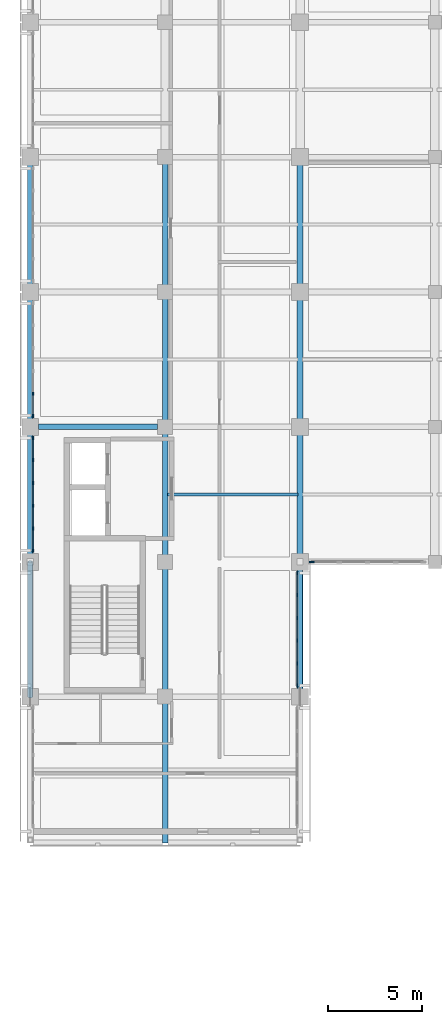
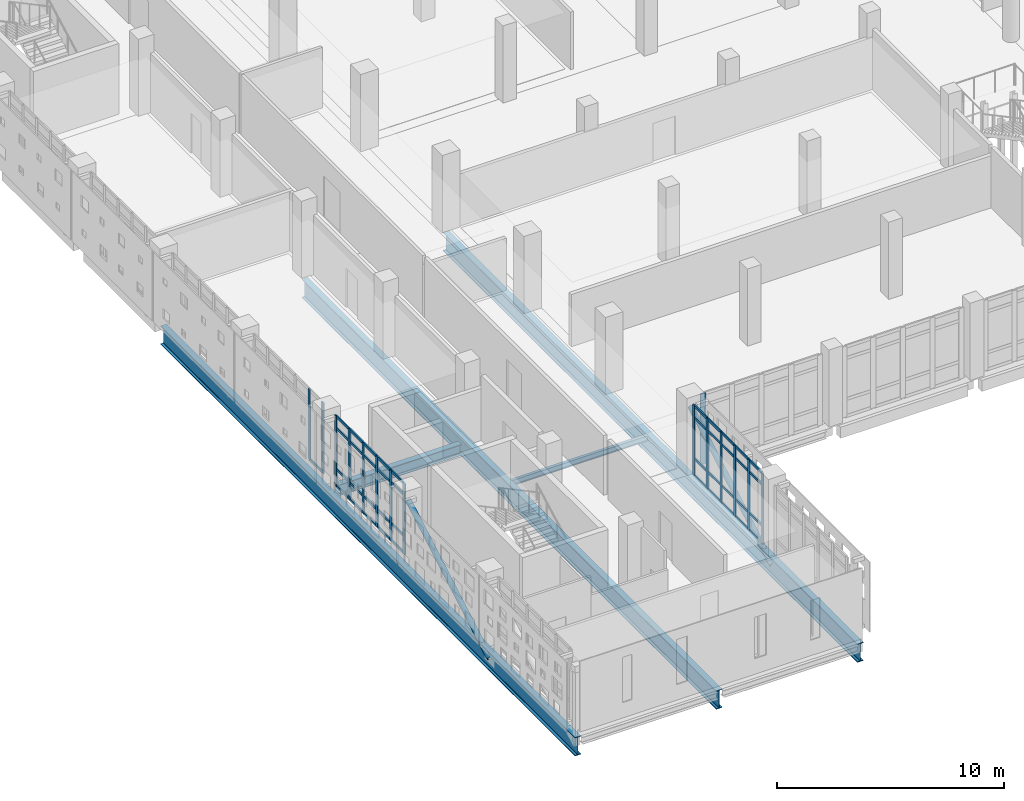
# One storey, part 5 of 57: 58 members, 5 beams, 4 elements without a shape of their own.
"""IFC4 building model written with IfcOpenShell, lengths in metres."""

import ifcopenshell
import ifcopenshell.guid

model = None  # the IFC model being written
_history = None  # IfcOwnerHistory: only IFC2X3 demands one
_inside = {}  # id of a spatial element -> (the spatial element, [elements in it])
_under = {}  # id of a project, library or spatial element -> (it, [spatial elements below it])
_declared = {}  # id of a project -> (the project, [libraries it declares])
_typed = {}  # id of a type object -> (the type object, [elements of that type])
_made_of = {}  # id of a material, layer set ... -> (it, [elements and type objects made of it])


def new_model(schema):
    """Start an empty IFC model of exactly this schema.

    Asked for "IFC4X3", IfcOpenShell would pick the latest addendum, in which some entities
    have other attributes; the version numbers below select the first issue.
    IFC2X3 requires an IfcOwnerHistory on every rooted entity: one is made here for all.
    """
    global model, _history
    if schema == "IFC4X3":
        model = ifcopenshell.file(schema_version=(4, 3, 0, 0))
    else:
        model = ifcopenshell.file(schema=schema)
    _inside.clear()
    _under.clear()
    _declared.clear()
    _typed.clear()
    _made_of.clear()
    _history = None
    if model.schema == "IFC2X3":
        org = make("IfcOrganization", Name="unknown")
        user = make(
            "IfcPersonAndOrganization",
            ThePerson=make("IfcPerson", FamilyName="unknown"),
            TheOrganization=org,
        )
        app = make(
            "IfcApplication",
            ApplicationDeveloper=org,
            Version="unknown",
            ApplicationFullName="unknown",
            ApplicationIdentifier="unknown",
        )
        _history = make(
            "IfcOwnerHistory",
            OwningUser=user,
            OwningApplication=app,
            ChangeAction="ADDED",
            CreationDate=0,
        )
    return model


def make(cls, **values):
    """One entity of the class cls with the attributes given. An attribute that is None is left unset."""
    return model.create_entity(
        cls, **{name: value for name, value in values.items() if value is not None}
    )


def rooted(cls, **values):
    """An entity with a GlobalId (a new one), such as an element, a storey or a relation."""
    return make(cls, GlobalId=ifcopenshell.guid.new(), OwnerHistory=_history, **values)


def si_unit(unit_type, name, prefix=None):
    """IfcSIUnit, for example si_unit("LENGTHUNIT", "METRE", prefix="MILLI")."""
    return make("IfcSIUnit", UnitType=unit_type, Prefix=prefix, Name=name)


def assignment(units):
    """IfcUnitAssignment: the units of a project."""
    return None if units is None else make("IfcUnitAssignment", Units=units)


def point(xyz):
    """IfcCartesianPoint."""
    return None if xyz is None else make("IfcCartesianPoint", Coordinates=xyz)


def direction(xyz):
    """IfcDirection."""
    return None if xyz is None else make("IfcDirection", DirectionRatios=xyz)


def frame(location, z_axis=None, x_axis=None):
    """IfcAxis2Placement3D, a coordinate frame: its origin and axes. An axis left out is left unset."""
    return make(
        "IfcAxis2Placement3D",
        Location=point(location),
        Axis=direction(z_axis),
        RefDirection=direction(x_axis),
    )


def frame_2d(location, x_axis=None):
    """IfcAxis2Placement2D, a coordinate frame in the plane: its origin and x axis."""
    return make(
        "IfcAxis2Placement2D", Location=point(location), RefDirection=direction(x_axis)
    )


def origin():
    """The frame at (0, 0, 0) with its axes left unset."""
    return frame((0.0, 0.0, 0.0))


def origin_2d():
    """The frame at (0, 0) in the plane with its x axis left unset."""
    return frame_2d((0.0, 0.0))


def place(relative_to, where):
    """IfcLocalPlacement: puts the frame where relative to a parent placement (None: the world)."""
    return make(
        "IfcLocalPlacement", PlacementRelTo=relative_to, RelativePlacement=where
    )


def context(
    kind, dimensions, precision=None, world=None, true_north=None, identifier=None
):
    """IfcGeometricRepresentationContext, for example the 3D "Model" context."""
    return make(
        "IfcGeometricRepresentationContext",
        ContextIdentifier=identifier,
        ContextType=kind,
        CoordinateSpaceDimension=dimensions,
        Precision=precision,
        WorldCoordinateSystem=world,
        TrueNorth=true_north,
    )


def subcontext(parent, identifier, kind, view, scale=None):
    """IfcGeometricRepresentationSubContext, for example "Body" below "Model"."""
    return make(
        "IfcGeometricRepresentationSubContext",
        ContextIdentifier=identifier,
        ContextType=kind,
        ParentContext=parent,
        TargetScale=scale,
        TargetView=view,
    )


def project(units=None, contexts=None):
    """IfcProject with its units and contexts."""
    return rooted(
        "IfcProject",
        Name="project",
        RepresentationContexts=contexts,
        UnitsInContext=assignment(units),
    )


def spatial(cls, under=None, at=None, **own):
    """A site, building, storey or space (cls), placed at a placement, below another one or the project."""
    s = rooted(cls, ObjectPlacement=at, **own)
    if under is not None:
        _under.setdefault(under.id(), (under, []))[1].append(s)
    return s


def profile(cls, at=None, kind="AREA", **sizes):
    """A parametric profile (cls). Its sizes go by their IFC names, for example OverallWidth=200.0."""
    return make(cls, ProfileType=kind, Position=at, **sizes)


def rectangle(**sizes):
    """IfcRectangleProfileDef."""
    return profile("IfcRectangleProfileDef", **sizes)


def hollow_circle(**sizes):
    """IfcCircleHollowProfileDef."""
    return profile("IfcCircleHollowProfileDef", **sizes)


def i_section(**sizes):
    """IfcIShapeProfileDef."""
    return profile("IfcIShapeProfileDef", **sizes)


def extrude(swept, where, along, depth):
    """IfcExtrudedAreaSolid: the profile swept, set in the frame where, extruded along a direction by depth."""
    return make(
        "IfcExtrudedAreaSolid",
        SweptArea=swept,
        Position=where,
        ExtrudedDirection=direction(along),
        Depth=depth,
    )


def shape(context_of_items, identifier, shape_type, items):
    """IfcShapeRepresentation: the items that make up one representation, for example the "Body"."""
    return make(
        "IfcShapeRepresentation",
        ContextOfItems=context_of_items,
        RepresentationIdentifier=identifier,
        RepresentationType=shape_type,
        Items=items,
    )


def material(Name=None, Category=None):
    """IfcMaterial."""
    return make("IfcMaterial", Name=Name, Category=Category)


def layer(
    of_material, thickness, ventilated=None, Name=None, Category=None, Priority=None
):
    """IfcMaterialLayer: one layer of a wall or slab, of a material (None: an air gap)."""
    return make(
        "IfcMaterialLayer",
        Material=of_material,
        LayerThickness=thickness,
        IsVentilated=ventilated,
        Name=Name,
        Category=Category,
        Priority=Priority,
    )


def layer_set(layers, Name=None):
    """IfcMaterialLayerSet."""
    return make("IfcMaterialLayerSet", MaterialLayers=layers, LayerSetName=Name)


def material_profile(
    of_material, cross_section, Name=None, Category=None, Priority=None
):
    """IfcMaterialProfile: a cross section and its material."""
    return make(
        "IfcMaterialProfile",
        Name=Name,
        Material=of_material,
        Profile=cross_section,
        Priority=Priority,
        Category=Category,
    )


def profile_set(profiles, Name=None, composite=None):
    """IfcMaterialProfileSet."""
    return make(
        "IfcMaterialProfileSet",
        Name=Name,
        MaterialProfiles=profiles,
        CompositeProfile=composite,
    )


def made_of(thing, what):
    """Note that an element or type object is made of a material, layer set ...; save() writes the relation."""
    if what is not None:
        _made_of.setdefault(what.id(), (what, []))[1].append(thing)
    return thing


def type_object(cls, material=None, **own):
    """A type object (cls), such as IfcWallType, which elements share."""
    return made_of(rooted(cls, **own), material)


def element(
    cls,
    number,
    at=None,
    inside=None,
    cuts=None,
    type_object=None,
    material=None,
    context=None,
    identifier="Body",
    shape_type=None,
    held_by="IfcProductDefinitionShape",
    body=None,
    shapes=None,
    **own,
):
    """One element of the class cls, such as IfcWall. Its Tag is "e" and its number.

    at: its placement. inside: the storey or other place that contains it. cuts: it is an
    opening in that element (IfcRelVoidsElement). A single representation is given by context,
    identifier, shape_type and body (its items); several are given by shapes. held_by: the class
    of the entity that holds the representations. save() writes the other relations.
    """
    e = rooted(cls, Tag="e%d" % number, ObjectPlacement=at, **own)
    if body is not None:
        shapes = [shape(context, identifier, shape_type, body)]
    if shapes is not None:
        e.Representation = make(held_by, Representations=shapes)
    if inside is not None:
        _inside.setdefault(inside.id(), (inside, []))[1].append(e)
    if cuts is not None:
        rooted(
            "IfcRelVoidsElement", RelatingBuildingElement=cuts, RelatedOpeningElement=e
        )
    if type_object is not None:
        _typed.setdefault(type_object.id(), (type_object, []))[1].append(e)
    return made_of(e, material)


def aggregate(whole, parts):
    """IfcRelAggregates: a whole, such as a stair, and the parts it consists of."""
    return rooted("IfcRelAggregates", RelatingObject=whole, RelatedObjects=parts)


def save(model, path):
    """Write the relations noted so far, then the file.

    IfcRelAggregates (storeys below a building ...), IfcRelContainedInSpatialStructure (elements
    in a storey), IfcRelDefinesByType, IfcRelAssociatesMaterial and IfcRelDeclares: one each for
    every whole, place, type object, material and project.
    """
    for whole, parts in _under.values():
        aggregate(whole, parts)
    for where, things in _inside.values():
        rooted(
            "IfcRelContainedInSpatialStructure",
            RelatedElements=things,
            RelatingStructure=where,
        )
    for kind, things in _typed.values():
        rooted("IfcRelDefinesByType", RelatedObjects=things, RelatingType=kind)
    for what, things in _made_of.values():
        rooted("IfcRelAssociatesMaterial", RelatedObjects=things, RelatingMaterial=what)
    for by, libraries in _declared.values():
        rooted("IfcRelDeclares", RelatingContext=by, RelatedDefinitions=libraries)
    model.write(path)


model = new_model("IFC4")

# Units and contexts
model_context = context("Model", 3, precision=1e-05, world=origin(), true_north=direction((0.0, 1.0)))
body_context = subcontext(model_context, "Body", "Model", "MODEL_VIEW")
ifc_project = project(units=[si_unit("LENGTHUNIT", "METRE"), si_unit("AREAUNIT", "SQUARE_METRE"), si_unit("VOLUMEUNIT", "CUBIC_METRE"), si_unit("PLANEANGLEUNIT", "RADIAN"), si_unit("MASSUNIT", "GRAM", prefix="KILO")], contexts=[model_context])

# Site, building, storey
site_placement = place(None, origin())
site = spatial("IfcSite", under=ifc_project, at=site_placement, CompositionType="ELEMENT")
building_placement = place(site_placement, origin())
building = spatial("IfcBuilding", under=site, at=building_placement, Name="Valkovuoma Quantum and Materials Research Institute", CompositionType="ELEMENT")
storey_placement = place(building_placement, frame((0.0, 0.0, 4.800048828125)))
storey = spatial("IfcBuildingStorey", under=building, at=storey_placement, Name="L01", CompositionType="ELEMENT", Elevation=4.800048828125)

# Beams
ifc_material_1 = material(Name="Steel S355J2", Category="steel")
ifc_material_profile_1 = material_profile(ifc_material_1, i_section(OverallWidth=0.300048828125, OverallDepth=1.0, WebThickness=0.01904296875, FlangeThickness=0.035888671875, FilletRadius=0.030029296875, at=origin_2d()), Name="Steel S355J2")
ifc_profile_set_1 = profile_set([ifc_material_profile_1], Name="Steel S355J2")
beam_type_1 = type_object("IfcBeamType", Name="Beam-B-HEB1000", PredefinedType="BEAM", material=ifc_profile_set_1)
for number, where, z_axis, x_axis, name in (
    (1, (0.0, 21.0, -0.85009765625), (0.0, 1.0, 0.0), (-1.0, 0.0, 0.0), "L01 cantilever girder X0"),
    (2, (7.199951171875, 21.0, -0.85009765625), (0.0, 1.0, 0.0), (-1.0, 0.0, 0.0), "L01 cantilever girder X1"),
    (3, (14.39990234375, 21.0, -0.85009765625), (0.0, 1.0, 0.0), (-1.0, 0.0, 0.0), "L01 cantilever girder X2"),
):
    element("IfcBeam", number, at=place(storey_placement, frame(where, z_axis=z_axis, x_axis=x_axis)), inside=storey, type_object=beam_type_1, Name=name, PredefinedType="BEAM", context=body_context, shape_type="SweptSolid", body=[
        extrude(i_section(OverallWidth=0.300048828125, OverallDepth=1.0, WebThickness=0.01904296875, FlangeThickness=0.035888671875, FilletRadius=0.030029296875, at=origin_2d()), origin(), (0.0, 0.0, 1.0), 36.60009765625),
    ])
ifc_material_2 = material(Name="Steel S355J2", Category="steel")
ifc_material_profile_2 = material_profile(ifc_material_2, i_section(OverallWidth=0.300048828125, OverallDepth=0.60009765625, WebThickness=0.015380859375, FlangeThickness=0.030029296875, FilletRadius=0.027099609375, at=origin_2d()), Name="Steel S355J2")
ifc_profile_set_2 = profile_set([ifc_material_profile_2], Name="Steel S355J2")
beam_type_2 = type_object("IfcBeamType", Name="Beam-B-HEB600", PredefinedType="BEAM", material=ifc_profile_set_2)
beam_1_placement = place(storey_placement, frame((0.449951171875, 43.199951171875, -0.650146484375), z_axis=(1.0, 0.0, 0.0), x_axis=(0.0, 1.0, 0.0)))
element("IfcBeam", 4, at=beam_1_placement, inside=storey, type_object=beam_type_2, Name="L01 beam X-0585", PredefinedType="BEAM", context=body_context, shape_type="SweptSolid", body=[
    extrude(i_section(OverallWidth=0.300048828125, OverallDepth=0.60009765625, WebThickness=0.015380859375, FlangeThickness=0.030029296875, FilletRadius=0.027099609375, at=origin_2d()), origin(), (0.0, 0.0, 1.0), 6.35009765625),
])
ifc_material_3 = material(Name="Steel S355J2", Category="steel")
ifc_material_profile_3 = material_profile(ifc_material_3, i_section(OverallWidth=0.14990234375, OverallDepth=0.300048828125, WebThickness=0.007080078125, FlangeThickness=0.0107421875, FilletRadius=0.014892578125, at=origin_2d()), Name="Steel S355J2")
ifc_profile_set_3 = profile_set([ifc_material_profile_3], Name="Steel S355J2")
beam_type_3 = type_object("IfcBeamType", Name="Beam-B-JST300", PredefinedType="JOIST", material=ifc_profile_set_3)
beam_2_placement = place(storey_placement, frame((7.320068359375, 39.60009765625, -0.5), z_axis=(1.0, 0.0, 0.0), x_axis=(0.0, 1.0, 0.0)))
element("IfcBeam", 5, at=beam_2_placement, inside=storey, type_object=beam_type_3, Name="L01 floor joist 0871", PredefinedType="JOIST", context=body_context, shape_type="SweptSolid", body=[
    extrude(i_section(OverallWidth=0.14990234375, OverallDepth=0.300048828125, WebThickness=0.007080078125, FlangeThickness=0.0107421875, FilletRadius=0.014892578125, at=origin_2d()), origin(), (0.0, 0.0, 1.0), 6.9599609375),
])

# Curtain wall, members
ifc_material_4 = material(Name="Thermally broken aluminium and triple low-E glazing", Category="aluminium")
ifc_layer_1 = layer(ifc_material_4, 0.219970703125)
ifc_layer_set_1 = layer_set([ifc_layer_1], Name="Thermally broken aluminium and triple low-E glazing")
curtain_wall_type_1 = type_object("IfcCurtainWallType", Name="CW-CW-01", PredefinedType="NOTDEFINED", material=ifc_layer_set_1)
curtain_wall_1_placement = place(storey_placement, origin())
curtain_wall_1 = element("IfcCurtainWall", 6, at=curtain_wall_1_placement, inside=storey, type_object=curtain_wall_type_1, Name="L01 curtain wall 010", PredefinedType="NOTDEFINED")
ifc_material_5 = material(Name="Anodised aluminium 6060-T66", Category="aluminium")
ifc_material_profile_4 = material_profile(ifc_material_5, rectangle(XDim=0.06494140625, YDim=0.179931640625, at=origin_2d()), Name="Anodised aluminium 6060-T66")
ifc_profile_set_4 = profile_set([ifc_material_profile_4], Name="Anodised aluminium 6060-T66")
member_type_1 = type_object("IfcMemberType", Name="CWMull-CWM-01", PredefinedType="MULLION", material=ifc_profile_set_4)
member_1_placement = place(storey_placement, frame((14.25, 29.3896484375, 0.0), z_axis=(0.0, 0.0, 1.0), x_axis=(-1.0, 0.0, 0.0)))
member_1 = element("IfcMember", 7, at=member_1_placement, type_object=member_type_1, Name="CW-01 mullion 1", PredefinedType="MULLION", context=body_context, shape_type="SweptSolid", body=[
    extrude(rectangle(XDim=0.06494140625, YDim=0.179931640625, at=origin_2d()), origin(), (0.0, 0.0, 1.0), 3.81005859375),
])
member_2_placement = place(storey_placement, frame((14.25, 30.57421875, 0.0), z_axis=(0.0, 0.0, 1.0), x_axis=(-1.0, 0.0, 0.0)))
member_2 = element("IfcMember", 8, at=member_2_placement, type_object=member_type_1, Name="CW-01 mullion 2", PredefinedType="MULLION", context=body_context, shape_type="SweptSolid", body=[
    extrude(rectangle(XDim=0.06494140625, YDim=0.179931640625, at=origin_2d()), origin(), (0.0, 0.0, 1.0), 3.81005859375),
])
member_3_placement = place(storey_placement, frame((14.25, 31.79150390625, 0.0), z_axis=(0.0, 0.0, 1.0), x_axis=(-1.0, 0.0, 0.0)))
member_3 = element("IfcMember", 9, at=member_3_placement, type_object=member_type_1, Name="CW-01 mullion 3", PredefinedType="MULLION", context=body_context, shape_type="SweptSolid", body=[
    extrude(rectangle(XDim=0.06494140625, YDim=0.179931640625, at=origin_2d()), origin(), (0.0, 0.0, 1.0), 3.81005859375),
])
member_4_placement = place(storey_placement, frame((14.25, 33.008544921875, 0.0), z_axis=(0.0, 0.0, 1.0), x_axis=(-1.0, 0.0, 0.0)))
member_4 = element("IfcMember", 10, at=member_4_placement, type_object=member_type_1, Name="CW-01 mullion 4", PredefinedType="MULLION", context=body_context, shape_type="SweptSolid", body=[
    extrude(rectangle(XDim=0.06494140625, YDim=0.179931640625, at=origin_2d()), origin(), (0.0, 0.0, 1.0), 3.81005859375),
])
member_5_placement = place(storey_placement, frame((14.25, 34.225830078125, 0.0), z_axis=(0.0, 0.0, 1.0), x_axis=(-1.0, 0.0, 0.0)))
member_5 = element("IfcMember", 11, at=member_5_placement, type_object=member_type_1, Name="CW-01 mullion 5", PredefinedType="MULLION", context=body_context, shape_type="SweptSolid", body=[
    extrude(rectangle(XDim=0.06494140625, YDim=0.179931640625, at=origin_2d()), origin(), (0.0, 0.0, 1.0), 3.81005859375),
])
member_6_placement = place(storey_placement, frame((14.25, 35.410400390625, 0.0), z_axis=(0.0, 0.0, 1.0), x_axis=(-1.0, 0.0, 0.0)))
member_6 = element("IfcMember", 12, at=member_6_placement, type_object=member_type_1, Name="CW-01 mullion 6", PredefinedType="MULLION", context=body_context, shape_type="SweptSolid", body=[
    extrude(rectangle(XDim=0.06494140625, YDim=0.179931640625, at=origin_2d()), origin(), (0.0, 0.0, 1.0), 3.81005859375),
])

curtain_wall_2_placement = place(storey_placement, origin())
curtain_wall_2 = element("IfcCurtainWall", 13, at=curtain_wall_2_placement, inside=storey, type_object=curtain_wall_type_1, Name="L01 curtain wall 011", PredefinedType="NOTDEFINED")
member_7_placement = place(storey_placement, frame((0.14990234375, 36.589599609375, 0.0), z_axis=(0.0, 0.0, 1.0), x_axis=(-1.0, 0.0, 0.0)))
member_7 = element("IfcMember", 14, at=member_7_placement, type_object=member_type_1, Name="CW-01 mullion 1", PredefinedType="MULLION", context=body_context, shape_type="SweptSolid", body=[
    extrude(rectangle(XDim=0.06494140625, YDim=0.179931640625, at=origin_2d()), origin(), (0.0, 0.0, 1.0), 3.81005859375),
])
member_8_placement = place(storey_placement, frame((0.14990234375, 37.774169921875, 0.0), z_axis=(0.0, 0.0, 1.0), x_axis=(-1.0, 0.0, 0.0)))
member_8 = element("IfcMember", 15, at=member_8_placement, type_object=member_type_1, Name="CW-01 mullion 2", PredefinedType="MULLION", context=body_context, shape_type="SweptSolid", body=[
    extrude(rectangle(XDim=0.06494140625, YDim=0.179931640625, at=origin_2d()), origin(), (0.0, 0.0, 1.0), 3.81005859375),
])
member_9_placement = place(storey_placement, frame((0.14990234375, 38.991455078125, 0.0), z_axis=(0.0, 0.0, 1.0), x_axis=(-1.0, 0.0, 0.0)))
member_9 = element("IfcMember", 16, at=member_9_placement, type_object=member_type_1, Name="CW-01 mullion 3", PredefinedType="MULLION", context=body_context, shape_type="SweptSolid", body=[
    extrude(rectangle(XDim=0.06494140625, YDim=0.179931640625, at=origin_2d()), origin(), (0.0, 0.0, 1.0), 3.81005859375),
])
member_10_placement = place(storey_placement, frame((0.14990234375, 40.20849609375, 0.0), z_axis=(0.0, 0.0, 1.0), x_axis=(-1.0, 0.0, 0.0)))
member_10 = element("IfcMember", 17, at=member_10_placement, type_object=member_type_1, Name="CW-01 mullion 4", PredefinedType="MULLION", context=body_context, shape_type="SweptSolid", body=[
    extrude(rectangle(XDim=0.06494140625, YDim=0.179931640625, at=origin_2d()), origin(), (0.0, 0.0, 1.0), 3.81005859375),
])
member_11_placement = place(storey_placement, frame((0.14990234375, 41.42578125, 0.0), z_axis=(0.0, 0.0, 1.0), x_axis=(-1.0, 0.0, 0.0)))
member_11 = element("IfcMember", 18, at=member_11_placement, type_object=member_type_1, Name="CW-01 mullion 5", PredefinedType="MULLION", context=body_context, shape_type="SweptSolid", body=[
    extrude(rectangle(XDim=0.06494140625, YDim=0.179931640625, at=origin_2d()), origin(), (0.0, 0.0, 1.0), 3.81005859375),
])
member_12_placement = place(storey_placement, frame((0.14990234375, 42.6103515625, 0.0), z_axis=(0.0, 0.0, 1.0), x_axis=(-1.0, 0.0, 0.0)))
member_12 = element("IfcMember", 19, at=member_12_placement, type_object=member_type_1, Name="CW-01 mullion 6", PredefinedType="MULLION", context=body_context, shape_type="SweptSolid", body=[
    extrude(rectangle(XDim=0.06494140625, YDim=0.179931640625, at=origin_2d()), origin(), (0.0, 0.0, 1.0), 3.81005859375),
])

curtain_wall_3_placement = place(storey_placement, origin())
curtain_wall_3 = element("IfcCurtainWall", 20, at=curtain_wall_3_placement, inside=storey, type_object=curtain_wall_type_1, Name="L01 curtain wall 012", PredefinedType="NOTDEFINED")
member_13_placement = place(storey_placement, frame((0.14990234375, 43.78955078125, 0.0), z_axis=(0.0, 0.0, 1.0), x_axis=(-1.0, 0.0, 0.0)))
member_13 = element("IfcMember", 21, at=member_13_placement, type_object=member_type_1, Name="CW-01 mullion 1", PredefinedType="MULLION", context=body_context, shape_type="SweptSolid", body=[
    extrude(rectangle(XDim=0.06494140625, YDim=0.179931640625, at=origin_2d()), origin(), (0.0, 0.0, 1.0), 3.81005859375),
])
member_14_placement = place(storey_placement, frame((0.14990234375, 44.974365234375, 0.0), z_axis=(0.0, 0.0, 1.0), x_axis=(-1.0, 0.0, 0.0)))
member_14 = element("IfcMember", 22, at=member_14_placement, type_object=member_type_1, Name="CW-01 mullion 2", PredefinedType="MULLION", context=body_context, shape_type="SweptSolid", body=[
    extrude(rectangle(XDim=0.06494140625, YDim=0.179931640625, at=origin_2d()), origin(), (0.0, 0.0, 1.0), 3.81005859375),
])

# Curtain wall, member
ifc_material_6 = material(Name="Thermally broken aluminium and triple low-E glazing", Category="aluminium")
ifc_layer_2 = layer(ifc_material_6, 0.219970703125)
ifc_layer_set_2 = layer_set([ifc_layer_2], Name="Thermally broken aluminium and triple low-E glazing")
curtain_wall_type_2 = type_object("IfcCurtainWallType", Name="CW-CW-02", PredefinedType="NOTDEFINED", material=ifc_layer_set_2)
curtain_wall_4_placement = place(storey_placement, origin())
curtain_wall_4 = element("IfcCurtainWall", 23, at=curtain_wall_4_placement, inside=storey, type_object=curtain_wall_type_2, Name="L01 curtain wall 159", PredefinedType="NOTDEFINED")
ifc_material_7 = material(Name="Anodised aluminium 6060-T66", Category="aluminium")
ifc_material_profile_5 = material_profile(ifc_material_7, rectangle(XDim=0.080078125, YDim=0.260009765625, at=origin_2d()), Name="Anodised aluminium 6060-T66")
ifc_profile_set_5 = profile_set([ifc_material_profile_5], Name="Anodised aluminium 6060-T66")
member_type_2 = type_object("IfcMemberType", Name="CWMull-CWM-03", PredefinedType="MULLION", material=ifc_profile_set_5)
member_15_placement = place(storey_placement, frame((15.02001953125, 36.0, 0.0), z_axis=(0.0, 0.0, 1.0), x_axis=(0.0, 1.0, 0.0)))
member_15 = element("IfcMember", 24, at=member_15_placement, type_object=member_type_2, Name="CW-02 mullion 1", PredefinedType="MULLION", context=body_context, shape_type="SweptSolid", body=[
    extrude(rectangle(XDim=0.080078125, YDim=0.260009765625, at=origin_2d()), origin(), (0.0, 0.0, 1.0), 3.81005859375),
])
aggregate(curtain_wall_4, [member_15])

# Member
ifc_material_8 = material(Name="Anodised aluminium 6060-T66", Category="aluminium")
ifc_material_profile_6 = material_profile(ifc_material_8, rectangle(XDim=0.06494140625, YDim=0.139892578125, at=origin_2d()), Name="Anodised aluminium 6060-T66")
ifc_profile_set_6 = profile_set([ifc_material_profile_6], Name="Anodised aluminium 6060-T66")
member_type_3 = type_object("IfcMemberType", Name="CWTran-CWT-01", PredefinedType="USERDEFINED", material=ifc_profile_set_6)
member_16_placement = place(storey_placement, frame((14.25, 29.422119140625, 0.032470703125), z_axis=(0.0, 1.0, 0.0), x_axis=(-1.0, 0.0, 0.0)))
member_16 = element("IfcMember", 25, at=member_16_placement, type_object=member_type_3, Name="CW-01 transom 1.1", ObjectType="TRANSOM", PredefinedType="USERDEFINED", context=body_context, shape_type="SweptSolid", body=[
    extrude(rectangle(XDim=0.06494140625, YDim=0.139892578125, at=origin_2d()), origin(), (0.0, 0.0, 1.0), 1.11962890625),
])

member_17_placement = place(storey_placement, frame((14.25, 29.422119140625, 0.949951171875), z_axis=(0.0, 1.0, 0.0), x_axis=(-1.0, 0.0, 0.0)))
member_17 = element("IfcMember", 26, at=member_17_placement, type_object=member_type_3, Name="CW-01 transom 1.2", ObjectType="TRANSOM", PredefinedType="USERDEFINED", context=body_context, shape_type="SweptSolid", body=[
    extrude(rectangle(XDim=0.06494140625, YDim=0.139892578125, at=origin_2d()), origin(), (0.0, 0.0, 1.0), 1.11962890625),
])

member_18_placement = place(storey_placement, frame((14.25, 29.422119140625, 3.159912109375), z_axis=(0.0, 1.0, 0.0), x_axis=(-1.0, 0.0, 0.0)))
member_18 = element("IfcMember", 27, at=member_18_placement, type_object=member_type_3, Name="CW-01 transom 1.3", ObjectType="TRANSOM", PredefinedType="USERDEFINED", context=body_context, shape_type="SweptSolid", body=[
    extrude(rectangle(XDim=0.06494140625, YDim=0.139892578125, at=origin_2d()), origin(), (0.0, 0.0, 1.0), 1.11962890625),
])

member_19_placement = place(storey_placement, frame((14.25, 29.422119140625, 3.77734375), z_axis=(0.0, 1.0, 0.0), x_axis=(-1.0, 0.0, 0.0)))
member_19 = element("IfcMember", 28, at=member_19_placement, type_object=member_type_3, Name="CW-01 transom 1.4", ObjectType="TRANSOM", PredefinedType="USERDEFINED", context=body_context, shape_type="SweptSolid", body=[
    extrude(rectangle(XDim=0.06494140625, YDim=0.139892578125, at=origin_2d()), origin(), (0.0, 0.0, 1.0), 1.11962890625),
])

member_20_placement = place(storey_placement, frame((14.25, 30.606689453125, 0.032470703125), z_axis=(0.0, 1.0, 0.0), x_axis=(-1.0, 0.0, 0.0)))
member_20 = element("IfcMember", 29, at=member_20_placement, type_object=member_type_3, Name="CW-01 transom 2.1", ObjectType="TRANSOM", PredefinedType="USERDEFINED", context=body_context, shape_type="SweptSolid", body=[
    extrude(rectangle(XDim=0.06494140625, YDim=0.139892578125, at=origin_2d()), origin(), (0.0, 0.0, 1.0), 1.15234375),
])

member_21_placement = place(storey_placement, frame((14.25, 30.606689453125, 0.949951171875), z_axis=(0.0, 1.0, 0.0), x_axis=(-1.0, 0.0, 0.0)))
member_21 = element("IfcMember", 30, at=member_21_placement, type_object=member_type_3, Name="CW-01 transom 2.2", ObjectType="TRANSOM", PredefinedType="USERDEFINED", context=body_context, shape_type="SweptSolid", body=[
    extrude(rectangle(XDim=0.06494140625, YDim=0.139892578125, at=origin_2d()), origin(), (0.0, 0.0, 1.0), 1.15234375),
])

member_22_placement = place(storey_placement, frame((14.25, 30.606689453125, 3.159912109375), z_axis=(0.0, 1.0, 0.0), x_axis=(-1.0, 0.0, 0.0)))
member_22 = element("IfcMember", 31, at=member_22_placement, type_object=member_type_3, Name="CW-01 transom 2.3", ObjectType="TRANSOM", PredefinedType="USERDEFINED", context=body_context, shape_type="SweptSolid", body=[
    extrude(rectangle(XDim=0.06494140625, YDim=0.139892578125, at=origin_2d()), origin(), (0.0, 0.0, 1.0), 1.15234375),
])

member_23_placement = place(storey_placement, frame((14.25, 30.606689453125, 3.77734375), z_axis=(0.0, 1.0, 0.0), x_axis=(-1.0, 0.0, 0.0)))
member_23 = element("IfcMember", 32, at=member_23_placement, type_object=member_type_3, Name="CW-01 transom 2.4", ObjectType="TRANSOM", PredefinedType="USERDEFINED", context=body_context, shape_type="SweptSolid", body=[
    extrude(rectangle(XDim=0.06494140625, YDim=0.139892578125, at=origin_2d()), origin(), (0.0, 0.0, 1.0), 1.15234375),
])

member_24_placement = place(storey_placement, frame((14.25, 31.823974609375, 0.032470703125), z_axis=(0.0, 1.0, 0.0), x_axis=(-1.0, 0.0, 0.0)))
member_24 = element("IfcMember", 33, at=member_24_placement, type_object=member_type_3, Name="CW-01 transom 3.1", ObjectType="TRANSOM", PredefinedType="USERDEFINED", context=body_context, shape_type="SweptSolid", body=[
    extrude(rectangle(XDim=0.06494140625, YDim=0.139892578125, at=origin_2d()), origin(), (0.0, 0.0, 1.0), 1.152099609375),
])

member_25_placement = place(storey_placement, frame((14.25, 31.823974609375, 0.949951171875), z_axis=(0.0, 1.0, 0.0), x_axis=(-1.0, 0.0, 0.0)))
member_25 = element("IfcMember", 34, at=member_25_placement, type_object=member_type_3, Name="CW-01 transom 3.2", ObjectType="TRANSOM", PredefinedType="USERDEFINED", context=body_context, shape_type="SweptSolid", body=[
    extrude(rectangle(XDim=0.06494140625, YDim=0.139892578125, at=origin_2d()), origin(), (0.0, 0.0, 1.0), 1.152099609375),
])

member_26_placement = place(storey_placement, frame((14.25, 31.823974609375, 3.159912109375), z_axis=(0.0, 1.0, 0.0), x_axis=(-1.0, 0.0, 0.0)))
member_26 = element("IfcMember", 35, at=member_26_placement, type_object=member_type_3, Name="CW-01 transom 3.3", ObjectType="TRANSOM", PredefinedType="USERDEFINED", context=body_context, shape_type="SweptSolid", body=[
    extrude(rectangle(XDim=0.06494140625, YDim=0.139892578125, at=origin_2d()), origin(), (0.0, 0.0, 1.0), 1.152099609375),
])

member_27_placement = place(storey_placement, frame((14.25, 31.823974609375, 3.77734375), z_axis=(0.0, 1.0, 0.0), x_axis=(-1.0, 0.0, 0.0)))
member_27 = element("IfcMember", 36, at=member_27_placement, type_object=member_type_3, Name="CW-01 transom 3.4", ObjectType="TRANSOM", PredefinedType="USERDEFINED", context=body_context, shape_type="SweptSolid", body=[
    extrude(rectangle(XDim=0.06494140625, YDim=0.139892578125, at=origin_2d()), origin(), (0.0, 0.0, 1.0), 1.152099609375),
])

member_28_placement = place(storey_placement, frame((14.25, 33.041015625, 0.032470703125), z_axis=(0.0, 1.0, 0.0), x_axis=(-1.0, 0.0, 0.0)))
member_28 = element("IfcMember", 37, at=member_28_placement, type_object=member_type_3, Name="CW-01 transom 4.1", ObjectType="TRANSOM", PredefinedType="USERDEFINED", context=body_context, shape_type="SweptSolid", body=[
    extrude(rectangle(XDim=0.06494140625, YDim=0.139892578125, at=origin_2d()), origin(), (0.0, 0.0, 1.0), 1.15234375),
])

member_29_placement = place(storey_placement, frame((14.25, 33.041015625, 0.949951171875), z_axis=(0.0, 1.0, 0.0), x_axis=(-1.0, 0.0, 0.0)))
member_29 = element("IfcMember", 38, at=member_29_placement, type_object=member_type_3, Name="CW-01 transom 4.2", ObjectType="TRANSOM", PredefinedType="USERDEFINED", context=body_context, shape_type="SweptSolid", body=[
    extrude(rectangle(XDim=0.06494140625, YDim=0.139892578125, at=origin_2d()), origin(), (0.0, 0.0, 1.0), 1.15234375),
])

member_30_placement = place(storey_placement, frame((14.25, 33.041015625, 3.159912109375), z_axis=(0.0, 1.0, 0.0), x_axis=(-1.0, 0.0, 0.0)))
member_30 = element("IfcMember", 39, at=member_30_placement, type_object=member_type_3, Name="CW-01 transom 4.3", ObjectType="TRANSOM", PredefinedType="USERDEFINED", context=body_context, shape_type="SweptSolid", body=[
    extrude(rectangle(XDim=0.06494140625, YDim=0.139892578125, at=origin_2d()), origin(), (0.0, 0.0, 1.0), 1.15234375),
])

member_31_placement = place(storey_placement, frame((14.25, 33.041015625, 3.77734375), z_axis=(0.0, 1.0, 0.0), x_axis=(-1.0, 0.0, 0.0)))
member_31 = element("IfcMember", 40, at=member_31_placement, type_object=member_type_3, Name="CW-01 transom 4.4", ObjectType="TRANSOM", PredefinedType="USERDEFINED", context=body_context, shape_type="SweptSolid", body=[
    extrude(rectangle(XDim=0.06494140625, YDim=0.139892578125, at=origin_2d()), origin(), (0.0, 0.0, 1.0), 1.15234375),
])

member_32_placement = place(storey_placement, frame((14.25, 34.25830078125, 0.032470703125), z_axis=(0.0, 1.0, 0.0), x_axis=(-1.0, 0.0, 0.0)))
member_32 = element("IfcMember", 41, at=member_32_placement, type_object=member_type_3, Name="CW-01 transom 5.1", ObjectType="TRANSOM", PredefinedType="USERDEFINED", context=body_context, shape_type="SweptSolid", body=[
    extrude(rectangle(XDim=0.06494140625, YDim=0.139892578125, at=origin_2d()), origin(), (0.0, 0.0, 1.0), 1.11962890625),
])

member_33_placement = place(storey_placement, frame((14.25, 34.25830078125, 0.949951171875), z_axis=(0.0, 1.0, 0.0), x_axis=(-1.0, 0.0, 0.0)))
member_33 = element("IfcMember", 42, at=member_33_placement, type_object=member_type_3, Name="CW-01 transom 5.2", ObjectType="TRANSOM", PredefinedType="USERDEFINED", context=body_context, shape_type="SweptSolid", body=[
    extrude(rectangle(XDim=0.06494140625, YDim=0.139892578125, at=origin_2d()), origin(), (0.0, 0.0, 1.0), 1.11962890625),
])

member_34_placement = place(storey_placement, frame((14.25, 34.25830078125, 3.159912109375), z_axis=(0.0, 1.0, 0.0), x_axis=(-1.0, 0.0, 0.0)))
member_34 = element("IfcMember", 43, at=member_34_placement, type_object=member_type_3, Name="CW-01 transom 5.3", ObjectType="TRANSOM", PredefinedType="USERDEFINED", context=body_context, shape_type="SweptSolid", body=[
    extrude(rectangle(XDim=0.06494140625, YDim=0.139892578125, at=origin_2d()), origin(), (0.0, 0.0, 1.0), 1.11962890625),
])

member_35_placement = place(storey_placement, frame((14.25, 34.25830078125, 3.77734375), z_axis=(0.0, 1.0, 0.0), x_axis=(-1.0, 0.0, 0.0)))
member_35 = element("IfcMember", 44, at=member_35_placement, type_object=member_type_3, Name="CW-01 transom 5.4", ObjectType="TRANSOM", PredefinedType="USERDEFINED", context=body_context, shape_type="SweptSolid", body=[
    extrude(rectangle(XDim=0.06494140625, YDim=0.139892578125, at=origin_2d()), origin(), (0.0, 0.0, 1.0), 1.11962890625),
])

aggregate(curtain_wall_1, [member_1, member_2, member_3, member_4, member_5, member_6, member_16, member_17, member_18, member_19, member_20, member_21, member_22, member_23, member_24, member_25, member_26, member_27, member_28, member_29, member_30, member_31, member_32, member_33, member_34, member_35])

member_36_placement = place(storey_placement, frame((0.14990234375, 36.6220703125, 0.032470703125), z_axis=(0.0, 1.0, 0.0), x_axis=(-1.0, 0.0, 0.0)))
member_36 = element("IfcMember", 45, at=member_36_placement, type_object=member_type_3, Name="CW-01 transom 1.1", ObjectType="TRANSOM", PredefinedType="USERDEFINED", context=body_context, shape_type="SweptSolid", body=[
    extrude(rectangle(XDim=0.06494140625, YDim=0.139892578125, at=origin_2d()), origin(), (0.0, 0.0, 1.0), 1.11962890625),
])

member_37_placement = place(storey_placement, frame((0.14990234375, 36.6220703125, 0.949951171875), z_axis=(0.0, 1.0, 0.0), x_axis=(-1.0, 0.0, 0.0)))
member_37 = element("IfcMember", 46, at=member_37_placement, type_object=member_type_3, Name="CW-01 transom 1.2", ObjectType="TRANSOM", PredefinedType="USERDEFINED", context=body_context, shape_type="SweptSolid", body=[
    extrude(rectangle(XDim=0.06494140625, YDim=0.139892578125, at=origin_2d()), origin(), (0.0, 0.0, 1.0), 1.11962890625),
])

member_38_placement = place(storey_placement, frame((0.14990234375, 36.6220703125, 3.159912109375), z_axis=(0.0, 1.0, 0.0), x_axis=(-1.0, 0.0, 0.0)))
member_38 = element("IfcMember", 47, at=member_38_placement, type_object=member_type_3, Name="CW-01 transom 1.3", ObjectType="TRANSOM", PredefinedType="USERDEFINED", context=body_context, shape_type="SweptSolid", body=[
    extrude(rectangle(XDim=0.06494140625, YDim=0.139892578125, at=origin_2d()), origin(), (0.0, 0.0, 1.0), 1.11962890625),
])

member_39_placement = place(storey_placement, frame((0.14990234375, 36.6220703125, 3.77734375), z_axis=(0.0, 1.0, 0.0), x_axis=(-1.0, 0.0, 0.0)))
member_39 = element("IfcMember", 48, at=member_39_placement, type_object=member_type_3, Name="CW-01 transom 1.4", ObjectType="TRANSOM", PredefinedType="USERDEFINED", context=body_context, shape_type="SweptSolid", body=[
    extrude(rectangle(XDim=0.06494140625, YDim=0.139892578125, at=origin_2d()), origin(), (0.0, 0.0, 1.0), 1.11962890625),
])

member_40_placement = place(storey_placement, frame((0.14990234375, 37.806640625, 0.032470703125), z_axis=(0.0, 1.0, 0.0), x_axis=(-1.0, 0.0, 0.0)))
member_40 = element("IfcMember", 49, at=member_40_placement, type_object=member_type_3, Name="CW-01 transom 2.1", ObjectType="TRANSOM", PredefinedType="USERDEFINED", context=body_context, shape_type="SweptSolid", body=[
    extrude(rectangle(XDim=0.06494140625, YDim=0.139892578125, at=origin_2d()), origin(), (0.0, 0.0, 1.0), 1.15234375),
])

member_41_placement = place(storey_placement, frame((0.14990234375, 37.806640625, 0.949951171875), z_axis=(0.0, 1.0, 0.0), x_axis=(-1.0, 0.0, 0.0)))
member_41 = element("IfcMember", 50, at=member_41_placement, type_object=member_type_3, Name="CW-01 transom 2.2", ObjectType="TRANSOM", PredefinedType="USERDEFINED", context=body_context, shape_type="SweptSolid", body=[
    extrude(rectangle(XDim=0.06494140625, YDim=0.139892578125, at=origin_2d()), origin(), (0.0, 0.0, 1.0), 1.15234375),
])

member_42_placement = place(storey_placement, frame((0.14990234375, 37.806640625, 3.159912109375), z_axis=(0.0, 1.0, 0.0), x_axis=(-1.0, 0.0, 0.0)))
member_42 = element("IfcMember", 51, at=member_42_placement, type_object=member_type_3, Name="CW-01 transom 2.3", ObjectType="TRANSOM", PredefinedType="USERDEFINED", context=body_context, shape_type="SweptSolid", body=[
    extrude(rectangle(XDim=0.06494140625, YDim=0.139892578125, at=origin_2d()), origin(), (0.0, 0.0, 1.0), 1.15234375),
])

member_43_placement = place(storey_placement, frame((0.14990234375, 37.806640625, 3.77734375), z_axis=(0.0, 1.0, 0.0), x_axis=(-1.0, 0.0, 0.0)))
member_43 = element("IfcMember", 52, at=member_43_placement, type_object=member_type_3, Name="CW-01 transom 2.4", ObjectType="TRANSOM", PredefinedType="USERDEFINED", context=body_context, shape_type="SweptSolid", body=[
    extrude(rectangle(XDim=0.06494140625, YDim=0.139892578125, at=origin_2d()), origin(), (0.0, 0.0, 1.0), 1.15234375),
])

member_44_placement = place(storey_placement, frame((0.14990234375, 39.02392578125, 0.032470703125), z_axis=(0.0, 1.0, 0.0), x_axis=(-1.0, 0.0, 0.0)))
member_44 = element("IfcMember", 53, at=member_44_placement, type_object=member_type_3, Name="CW-01 transom 3.1", ObjectType="TRANSOM", PredefinedType="USERDEFINED", context=body_context, shape_type="SweptSolid", body=[
    extrude(rectangle(XDim=0.06494140625, YDim=0.139892578125, at=origin_2d()), origin(), (0.0, 0.0, 1.0), 1.152099609375),
])

member_45_placement = place(storey_placement, frame((0.14990234375, 39.02392578125, 0.949951171875), z_axis=(0.0, 1.0, 0.0), x_axis=(-1.0, 0.0, 0.0)))
member_45 = element("IfcMember", 54, at=member_45_placement, type_object=member_type_3, Name="CW-01 transom 3.2", ObjectType="TRANSOM", PredefinedType="USERDEFINED", context=body_context, shape_type="SweptSolid", body=[
    extrude(rectangle(XDim=0.06494140625, YDim=0.139892578125, at=origin_2d()), origin(), (0.0, 0.0, 1.0), 1.152099609375),
])

member_46_placement = place(storey_placement, frame((0.14990234375, 39.02392578125, 3.159912109375), z_axis=(0.0, 1.0, 0.0), x_axis=(-1.0, 0.0, 0.0)))
member_46 = element("IfcMember", 55, at=member_46_placement, type_object=member_type_3, Name="CW-01 transom 3.3", ObjectType="TRANSOM", PredefinedType="USERDEFINED", context=body_context, shape_type="SweptSolid", body=[
    extrude(rectangle(XDim=0.06494140625, YDim=0.139892578125, at=origin_2d()), origin(), (0.0, 0.0, 1.0), 1.152099609375),
])

member_47_placement = place(storey_placement, frame((0.14990234375, 39.02392578125, 3.77734375), z_axis=(0.0, 1.0, 0.0), x_axis=(-1.0, 0.0, 0.0)))
member_47 = element("IfcMember", 56, at=member_47_placement, type_object=member_type_3, Name="CW-01 transom 3.4", ObjectType="TRANSOM", PredefinedType="USERDEFINED", context=body_context, shape_type="SweptSolid", body=[
    extrude(rectangle(XDim=0.06494140625, YDim=0.139892578125, at=origin_2d()), origin(), (0.0, 0.0, 1.0), 1.152099609375),
])

member_48_placement = place(storey_placement, frame((0.14990234375, 40.240966796875, 0.032470703125), z_axis=(0.0, 1.0, 0.0), x_axis=(-1.0, 0.0, 0.0)))
member_48 = element("IfcMember", 57, at=member_48_placement, type_object=member_type_3, Name="CW-01 transom 4.1", ObjectType="TRANSOM", PredefinedType="USERDEFINED", context=body_context, shape_type="SweptSolid", body=[
    extrude(rectangle(XDim=0.06494140625, YDim=0.139892578125, at=origin_2d()), origin(), (0.0, 0.0, 1.0), 1.15234375),
])

member_49_placement = place(storey_placement, frame((0.14990234375, 40.240966796875, 0.949951171875), z_axis=(0.0, 1.0, 0.0), x_axis=(-1.0, 0.0, 0.0)))
member_49 = element("IfcMember", 58, at=member_49_placement, type_object=member_type_3, Name="CW-01 transom 4.2", ObjectType="TRANSOM", PredefinedType="USERDEFINED", context=body_context, shape_type="SweptSolid", body=[
    extrude(rectangle(XDim=0.06494140625, YDim=0.139892578125, at=origin_2d()), origin(), (0.0, 0.0, 1.0), 1.15234375),
])

member_50_placement = place(storey_placement, frame((0.14990234375, 40.240966796875, 3.159912109375), z_axis=(0.0, 1.0, 0.0), x_axis=(-1.0, 0.0, 0.0)))
member_50 = element("IfcMember", 59, at=member_50_placement, type_object=member_type_3, Name="CW-01 transom 4.3", ObjectType="TRANSOM", PredefinedType="USERDEFINED", context=body_context, shape_type="SweptSolid", body=[
    extrude(rectangle(XDim=0.06494140625, YDim=0.139892578125, at=origin_2d()), origin(), (0.0, 0.0, 1.0), 1.15234375),
])

member_51_placement = place(storey_placement, frame((0.14990234375, 40.240966796875, 3.77734375), z_axis=(0.0, 1.0, 0.0), x_axis=(-1.0, 0.0, 0.0)))
member_51 = element("IfcMember", 60, at=member_51_placement, type_object=member_type_3, Name="CW-01 transom 4.4", ObjectType="TRANSOM", PredefinedType="USERDEFINED", context=body_context, shape_type="SweptSolid", body=[
    extrude(rectangle(XDim=0.06494140625, YDim=0.139892578125, at=origin_2d()), origin(), (0.0, 0.0, 1.0), 1.15234375),
])

member_52_placement = place(storey_placement, frame((0.14990234375, 41.458251953125, 0.032470703125), z_axis=(0.0, 1.0, 0.0), x_axis=(-1.0, 0.0, 0.0)))
member_52 = element("IfcMember", 61, at=member_52_placement, type_object=member_type_3, Name="CW-01 transom 5.1", ObjectType="TRANSOM", PredefinedType="USERDEFINED", context=body_context, shape_type="SweptSolid", body=[
    extrude(rectangle(XDim=0.06494140625, YDim=0.139892578125, at=origin_2d()), origin(), (0.0, 0.0, 1.0), 1.11962890625),
])

member_53_placement = place(storey_placement, frame((0.14990234375, 41.458251953125, 0.949951171875), z_axis=(0.0, 1.0, 0.0), x_axis=(-1.0, 0.0, 0.0)))
member_53 = element("IfcMember", 62, at=member_53_placement, type_object=member_type_3, Name="CW-01 transom 5.2", ObjectType="TRANSOM", PredefinedType="USERDEFINED", context=body_context, shape_type="SweptSolid", body=[
    extrude(rectangle(XDim=0.06494140625, YDim=0.139892578125, at=origin_2d()), origin(), (0.0, 0.0, 1.0), 1.11962890625),
])

member_54_placement = place(storey_placement, frame((0.14990234375, 41.458251953125, 3.159912109375), z_axis=(0.0, 1.0, 0.0), x_axis=(-1.0, 0.0, 0.0)))
member_54 = element("IfcMember", 63, at=member_54_placement, type_object=member_type_3, Name="CW-01 transom 5.3", ObjectType="TRANSOM", PredefinedType="USERDEFINED", context=body_context, shape_type="SweptSolid", body=[
    extrude(rectangle(XDim=0.06494140625, YDim=0.139892578125, at=origin_2d()), origin(), (0.0, 0.0, 1.0), 1.11962890625),
])

member_55_placement = place(storey_placement, frame((0.14990234375, 41.458251953125, 3.77734375), z_axis=(0.0, 1.0, 0.0), x_axis=(-1.0, 0.0, 0.0)))
member_55 = element("IfcMember", 64, at=member_55_placement, type_object=member_type_3, Name="CW-01 transom 5.4", ObjectType="TRANSOM", PredefinedType="USERDEFINED", context=body_context, shape_type="SweptSolid", body=[
    extrude(rectangle(XDim=0.06494140625, YDim=0.139892578125, at=origin_2d()), origin(), (0.0, 0.0, 1.0), 1.11962890625),
])

aggregate(curtain_wall_2, [member_7, member_8, member_9, member_10, member_11, member_12, member_36, member_37, member_38, member_39, member_40, member_41, member_42, member_43, member_44, member_45, member_46, member_47, member_48, member_49, member_50, member_51, member_52, member_53, member_54, member_55])

member_56_placement = place(storey_placement, frame((0.14990234375, 43.822021484375, 0.032470703125), z_axis=(0.0, 1.0, 0.0), x_axis=(-1.0, 0.0, 0.0)))
member_56 = element("IfcMember", 65, at=member_56_placement, type_object=member_type_3, Name="CW-01 transom 1.1", ObjectType="TRANSOM", PredefinedType="USERDEFINED", context=body_context, shape_type="SweptSolid", body=[
    extrude(rectangle(XDim=0.06494140625, YDim=0.139892578125, at=origin_2d()), origin(), (0.0, 0.0, 1.0), 1.11962890625),
])

aggregate(curtain_wall_3, [member_13, member_14, member_56])

# Members
ifc_material_9 = material(Name="Steel S355J2H", Category="steel")
ifc_material_profile_7 = material_profile(ifc_material_9, hollow_circle(Radius=0.136474609375, WallThickness=0.012451171875, at=origin_2d()), Name="Steel S355J2H")
ifc_profile_set_7 = profile_set([ifc_material_profile_7], Name="Steel S355J2H")
member_type_4 = type_object("IfcMemberType", Name="Mem-M-BRC273", PredefinedType="BRACE", material=ifc_profile_set_7)
for number, where, z_axis, x_axis, name in (
    (66, (0.0, 28.800048828125, -0.85009765625), (0.0, 0.865855463966, 0.50029422895), (-1.0, 0.0, 0.0), "L01 cantilever back-span brace 0"),
    (67, (14.39990234375, 28.800048828125, -0.85009765625), (0.0, 0.865855463966, 0.50029422895), (-1.0, 0.0, 0.0), "L01 cantilever back-span brace 1"),
):
    element("IfcMember", number, at=place(storey_placement, frame(where, z_axis=z_axis, x_axis=x_axis)), inside=storey, type_object=member_type_4, Name=name, PredefinedType="BRACE", context=body_context, shape_type="SweptSolid", body=[
        extrude(hollow_circle(Radius=0.136474609375, WallThickness=0.012451171875, at=origin_2d()), origin(), (0.0, 0.0, 1.0), 8.3154296875),
    ])

save(model, "model.ifc")
